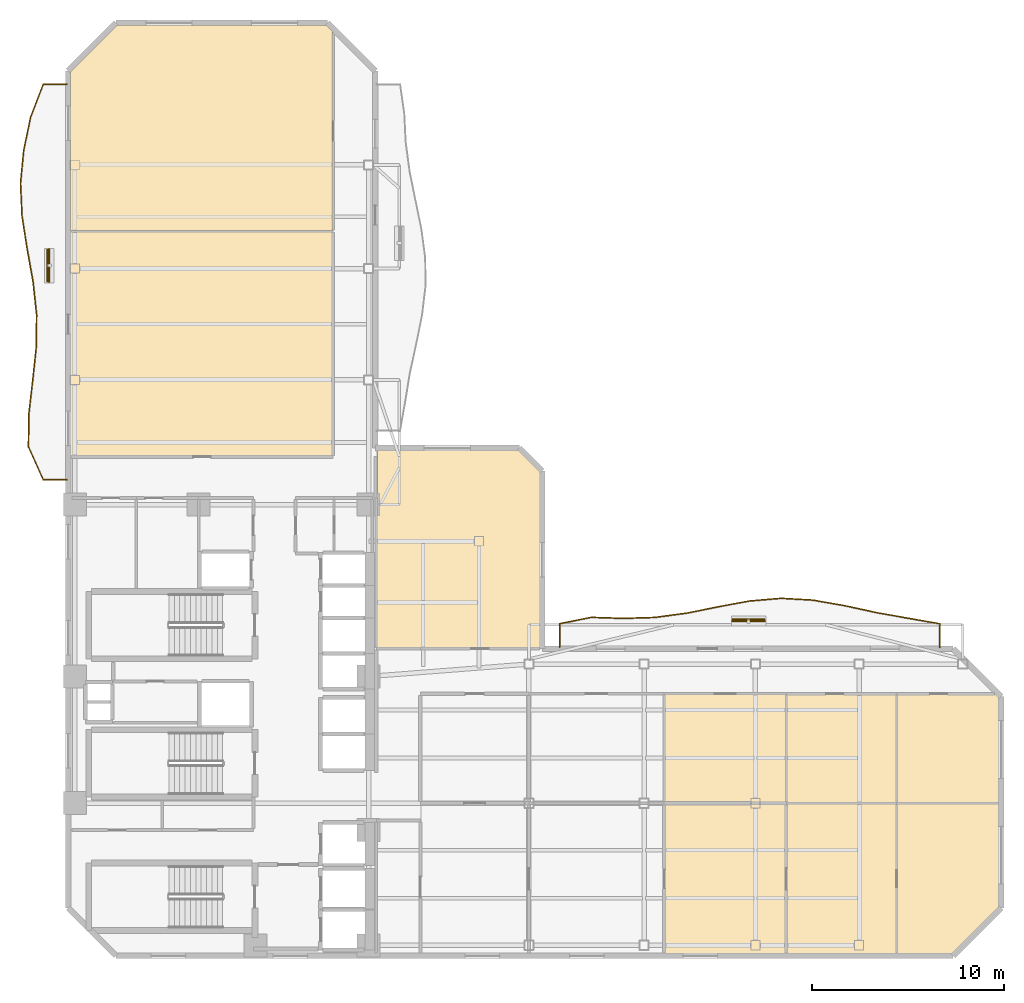
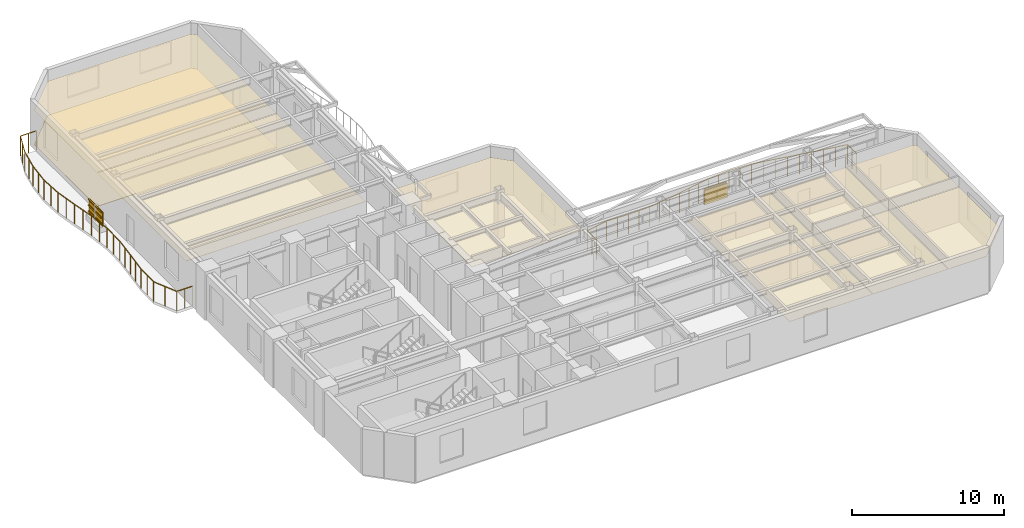
# One storey, part 8 of 9: 10 coverings, 8 shading devices, 2 railings.
"""IFC4 building model written with IfcOpenShell, lengths in metres."""

from ifc_helpers import new_model, si_unit, direction, frame, origin, origin_2d, place, context, subcontext, project, spatial, polyline, rectangle, outline, extrude, material, layer, layer_set, material_profile, profile_set, type_object, element, save


model = new_model("IFC4")

# Units and contexts
model_context = context("Model", 3, precision=1e-05, world=origin(), true_north=direction((0.0, 1.0)))
body_context = subcontext(model_context, "Body", "Model", "MODEL_VIEW")
ifc_project = project(units=[si_unit("LENGTHUNIT", "METRE"), si_unit("AREAUNIT", "SQUARE_METRE"), si_unit("VOLUMEUNIT", "CUBIC_METRE"), si_unit("PLANEANGLEUNIT", "RADIAN"), si_unit("MASSUNIT", "GRAM", prefix="KILO")], contexts=[model_context])

# Site, building, storey
site_placement = place(None, origin())
site = spatial("IfcSite", under=ifc_project, at=site_placement, CompositionType="ELEMENT")
building_placement = place(site_placement, origin())
building = spatial("IfcBuilding", under=site, at=building_placement, Name="Mawjaban Terraces University", CompositionType="ELEMENT")
storey_placement = place(building_placement, frame((0.0, 0.0, 138.5)))
storey = spatial("IfcBuildingStorey", under=building, at=storey_placement, Name="L33", CompositionType="ELEMENT", Elevation=138.5)

# Coverings
ifc_material_1 = material(Name="Acoustic mineral fibre ceiling tile", Category="masonry")
ifc_layer_1 = layer(ifc_material_1, 0.02001953125)
ifc_layer_set_1 = layer_set([ifc_layer_1], Name="Acoustic mineral fibre ceiling tile")
covering_type_1 = type_object("IfcCoveringType", Name="AcousticMineralCeiling_20", PredefinedType="CEILING", material=ifc_layer_set_1)
covering_1_placement = place(storey_placement, frame((0.0, 0.0, 2.75)))
element("IfcCovering", 1, at=covering_1_placement, inside=storey, type_object=covering_type_1, Name="L33 Design Studio 6 Acoustic Ceiling", PredefinedType="CEILING", context=body_context, shape_type="SweptSolid", body=[
    extrude(outline(polyline([(53.0849609375, 0.114990234375), (59.376953125, 0.114990234375), (59.376953125, 7.919921875), (53.0849609375, 7.919921875), (53.0849609375, 0.114990234375)])), origin(), (0.0, 0.0, 1.0), 0.02001953125),
])
covering_2_placement = place(storey_placement, frame((0.0, 0.0, 2.75)))
element("IfcCovering", 2, at=covering_2_placement, inside=storey, type_object=covering_type_1, Name="L33 Computational Laboratory 7 Acoustic Ceiling", PredefinedType="CEILING", context=body_context, shape_type="SweptSolid", body=[
    extrude(outline(polyline([(59.376953125, 7.97998046875), (59.376953125, 13.6201171875), (53.0849609375, 13.6201171875), (53.0849609375, 7.97998046875), (59.376953125, 7.97998046875)])), origin(), (0.0, 0.0, 1.0), 0.02001953125),
])
covering_3_placement = place(storey_placement, frame((0.0, 0.0, 2.75)))
element("IfcCovering", 3, at=covering_3_placement, inside=storey, type_object=covering_type_1, Name="L33 Teaching Laboratory 8 Acoustic Ceiling", PredefinedType="CEILING", context=body_context, shape_type="SweptSolid", body=[
    extrude(outline(polyline([(59.43701171875, 0.114990234375), (65.125, 0.114990234375), (65.125, 7.919921875), (59.43701171875, 7.919921875), (59.43701171875, 0.114990234375)])), origin(), (0.0, 0.0, 1.0), 0.02001953125),
])
covering_4_placement = place(storey_placement, frame((0.0, 0.0, 2.75)))
element("IfcCovering", 4, at=covering_4_placement, inside=storey, type_object=covering_type_1, Name="L33 Student Tea Pantry 9 Acoustic Ceiling", PredefinedType="CEILING", context=body_context, shape_type="SweptSolid", body=[
    extrude(outline(polyline([(65.125, 7.97998046875), (65.125, 13.6201171875), (59.43701171875, 13.6201171875), (59.43701171875, 7.97998046875), (65.125, 7.97998046875)])), origin(), (0.0, 0.0, 1.0), 0.02001953125),
])
covering_5_placement = place(storey_placement, frame((0.0, 0.0, 2.75)))
element("IfcCovering", 5, at=covering_5_placement, inside=storey, type_object=covering_type_1, Name="L33 Student Tea Pantry 10 Acoustic Ceiling", PredefinedType="CEILING", context=body_context, shape_type="SweptSolid", body=[
    extrude(outline(polyline([(65.18505859375, 0.114990234375), (68.052978515625, 0.114990234375), (70.485107421875, 2.547119140625), (70.485107421875, 7.919921875), (65.18505859375, 7.919921875), (65.18505859375, 0.114990234375)])), origin(), (0.0, 0.0, 1.0), 0.02001953125),
])
covering_6_placement = place(storey_placement, frame((0.0, 0.0, 2.75)))
element("IfcCovering", 6, at=covering_6_placement, inside=storey, type_object=covering_type_1, Name="L33 Faculty Office 11 Acoustic Ceiling", PredefinedType="CEILING", context=body_context, shape_type="SweptSolid", body=[
    extrude(outline(polyline([(70.485107421875, 7.97998046875), (70.485107421875, 13.452880859375), (70.318115234375, 13.6201171875), (65.18505859375, 13.6201171875), (65.18505859375, 7.97998046875), (70.485107421875, 7.97998046875)])), origin(), (0.0, 0.0, 1.0), 0.02001953125),
])
covering_7_placement = place(storey_placement, frame((0.0, 0.0, 2.75)))
element("IfcCovering", 7, at=covering_7_placement, inside=storey, type_object=covering_type_1, Name="L33 Departmental Office 12 Acoustic Ceiling", PredefinedType="CEILING", context=body_context, shape_type="SweptSolid", body=[
    extrude(outline(polyline([(22.114990234375, 37.721923828125), (22.114990234375, 26.030029296875), (35.77001953125, 26.030029296875), (35.77001953125, 37.721923828125), (22.114990234375, 37.721923828125)])), origin(), (0.0, 0.0, 1.0), 0.02001953125),
])
covering_8_placement = place(storey_placement, frame((0.0, 0.0, 2.75)))
element("IfcCovering", 8, at=covering_8_placement, inside=storey, type_object=covering_type_1, Name="L33 Classroom 13 Acoustic Ceiling", PredefinedType="CEILING", context=body_context, shape_type="SweptSolid", body=[
    extrude(outline(polyline([(35.77001953125, 48.16796875), (35.452880859375, 48.485107421875), (24.547119140625, 48.485107421875), (22.114990234375, 46.052978515625), (22.114990234375, 37.781982421875), (35.77001953125, 37.781982421875), (35.77001953125, 48.16796875)])), origin(), (0.0, 0.0, 1.0), 0.02001953125),
])
covering_9_placement = place(storey_placement, frame((0.0, 0.0, 2.75)))
element("IfcCovering", 9, at=covering_9_placement, inside=storey, type_object=covering_type_1, Name="L33 Terrace Collaborative Study Room Acoustic Ceiling", PredefinedType="CEILING", context=body_context, shape_type="SweptSolid", body=[
    extrude(outline(polyline([(46.583984375, 16.030029296875), (46.583984375, 25.202880859375), (45.451904296875, 26.3349609375), (38.080078125, 26.3349609375), (38.080078125, 16.030029296875), (46.583984375, 16.030029296875)])), origin(), (0.0, 0.0, 1.0), 0.02001953125),
])

# Railings
ifc_material_2 = material(Name="Galvanised powder-coated steel S355", Category="steel")
railing_type = type_object("IfcRailingType", Name="BalconyBalustrade_1600", PredefinedType="BALUSTRADE", material=ifc_material_2)
railing_1_placement = place(storey_placement, frame((21.919921875, 24.800048828125, 0.0)))
element("IfcRailing", 10, at=railing_1_placement, inside=storey, type_object=railing_type, Name="L33 Balcony Guardrail west", PredefinedType="BALUSTRADE", context=body_context, shape_type="SweptSolid", body=[
    extrude(rectangle(XDim=0.048095703125, YDim=0.048095703125, at=origin_2d()), frame((0.0, 0.0, 1.576171875), z_axis=(-1.0, 0.0, 0.0), x_axis=(0.0, -1.0, 0.0)), (0.0, 0.0, 1.0), 1.219970703125),
    extrude(rectangle(XDim=0.048095703125, YDim=0.048095703125, at=origin_2d()), frame((-1.219970703125, 0.0, 1.576171875), z_axis=(-0.410057297483, 0.912059763821, 0.0), x_axis=(-0.912059763821, -0.410057297483, 0.0)), (0.0, 0.0, 1.0), 1.882568359375),
    extrude(rectangle(XDim=0.048095703125, YDim=0.048095703125, at=origin_2d()), frame((-1.991943359375, 1.717041015625, 1.576171875), z_axis=(0.012804869278, 0.999918014301, 0.0), x_axis=(-0.999918014301, 0.012804869278, 0.0)), (0.0, 0.0, 1.0), 1.716064453125),
    extrude(rectangle(XDim=0.048095703125, YDim=0.048095703125, at=origin_2d()), frame((-1.969970703125, 3.432861328125, 1.576171875), z_axis=(0.114554410221, 0.993416975443, 0.0), x_axis=(-0.993416975443, 0.114554410221, 0.0)), (0.0, 0.0, 1.0), 1.728515625),
    extrude(rectangle(XDim=0.048095703125, YDim=0.048095703125, at=origin_2d()), frame((-1.77197265625, 5.14990234375, 1.576171875), z_axis=(0.106598017622, 0.994302198851, 0.0), x_axis=(-0.994302198851, 0.106598017622, 0.0)), (0.0, 0.0, 1.0), 1.726806640625),
    extrude(rectangle(XDim=0.048095703125, YDim=0.048095703125, at=origin_2d()), frame((-1.587890625, 6.866943359375, 1.576171875), z_axis=(0.012803047857, 0.999918037624, 0.0), x_axis=(-0.999918037624, 0.012803047857, 0.0)), (0.0, 0.0, 1.0), 1.71630859375),
    extrude(rectangle(XDim=0.048095703125, YDim=0.048095703125, at=origin_2d()), frame((-1.56591796875, 8.5830078125, 1.576171875), z_axis=(-0.106598017622, 0.994302198851, 0.0), x_axis=(-0.994302198851, -0.106598017622, 0.0)), (0.0, 0.0, 1.0), 1.726806640625),
    extrude(rectangle(XDim=0.048095703125, YDim=0.048095703125, at=origin_2d()), frame((-1.75, 10.300048828125, 1.576171875), z_axis=(-0.175965058491, 0.984396413134, 0.0), x_axis=(-0.984396413134, -0.175965058491, 0.0)), (0.0, 0.0, 1.0), 1.743896484375),
    extrude(rectangle(XDim=0.048095703125, YDim=0.048095703125, at=origin_2d()), frame((-2.056884765625, 12.016845703125, 1.576171875), z_axis=(-0.154338288951, 0.988018062873, 0.0), x_axis=(-0.988018062873, -0.154338288951, 0.0)), (0.0, 0.0, 1.0), 1.73681640625),
    extrude(rectangle(XDim=0.048095703125, YDim=0.048095703125, at=origin_2d()), frame((-2.324951171875, 13.73291015625, 1.576171875), z_axis=(-0.046586645091, 0.998914252826, 0.0), x_axis=(-0.998914252826, -0.046586645091, 0.0)), (0.0, 0.0, 1.0), 1.718994140625),
    extrude(rectangle(XDim=0.048095703125, YDim=0.048095703125, at=origin_2d()), frame((-2.405029296875, 15.449951171875, 1.576171875), z_axis=(0.096799075364, 0.995303943029, 0.0), x_axis=(-0.995303943029, 0.096799075364, 0.0)), (0.0, 0.0, 1.0), 1.72509765625),
    extrude(rectangle(XDim=0.048095703125, YDim=0.048095703125, at=origin_2d()), frame((-2.238037109375, 17.1669921875, 1.576171875), z_axis=(0.204304609806, 0.97890736355, 0.0), x_axis=(-0.97890736355, 0.204304609806, 0.0)), (0.0, 0.0, 1.0), 1.7529296875),
    extrude(rectangle(XDim=0.048095703125, YDim=0.048095703125, at=origin_2d()), frame((-1.8798828125, 18.883056640625, 1.576171875), z_axis=(0.358792280253, 0.933417430537, 0.0), x_axis=(-0.933417430537, 0.358792280253, 0.0)), (0.0, 0.0, 1.0), 1.83935546875),
    extrude(rectangle(XDim=0.048095703125, YDim=0.048095703125, at=origin_2d()), frame((-1.219970703125, 20.599853515625, 1.576171875), z_axis=(1.0, 0.0, 0.0), x_axis=(0.0, 1.0, 0.0)), (0.0, 0.0, 1.0), 1.219970703125),
    extrude(rectangle(XDim=0.0419921875, YDim=0.0419921875, at=origin_2d()), origin(), (0.0, 0.0, 1.0), 1.552001953125),
    extrude(rectangle(XDim=0.0419921875, YDim=0.0419921875, at=origin_2d()), frame((-0.60986328125, 0.0, 0.0)), (0.0, 0.0, 1.0), 1.552001953125),
    extrude(rectangle(XDim=0.0419921875, YDim=0.0419921875, at=origin_2d()), frame((-1.219970703125, 0.0, 0.0)), (0.0, 0.0, 1.0), 1.552001953125),
    extrude(rectangle(XDim=0.0419921875, YDim=0.0419921875, at=origin_2d()), frame((-1.60595703125, 0.8583984375, 0.0)), (0.0, 0.0, 1.0), 1.552001953125),
    extrude(rectangle(XDim=0.0419921875, YDim=0.0419921875, at=origin_2d()), frame((-1.991943359375, 1.717041015625, 0.0)), (0.0, 0.0, 1.0), 1.552001953125),
    extrude(rectangle(XDim=0.0419921875, YDim=0.0419921875, at=origin_2d()), frame((-1.98095703125, 2.574951171875, 0.0)), (0.0, 0.0, 1.0), 1.552001953125),
    extrude(rectangle(XDim=0.0419921875, YDim=0.0419921875, at=origin_2d()), frame((-1.969970703125, 3.432861328125, 0.0)), (0.0, 0.0, 1.0), 1.552001953125),
    extrude(rectangle(XDim=0.0419921875, YDim=0.0419921875, at=origin_2d()), frame((-1.87109375, 4.29150390625, 0.0)), (0.0, 0.0, 1.0), 1.552001953125),
    extrude(rectangle(XDim=0.0419921875, YDim=0.0419921875, at=origin_2d()), frame((-1.77197265625, 5.14990234375, 0.0)), (0.0, 0.0, 1.0), 1.552001953125),
    extrude(rectangle(XDim=0.0419921875, YDim=0.0419921875, at=origin_2d()), frame((-1.679931640625, 6.00830078125, 0.0)), (0.0, 0.0, 1.0), 1.552001953125),
    extrude(rectangle(XDim=0.0419921875, YDim=0.0419921875, at=origin_2d()), frame((-1.587890625, 6.866943359375, 0.0)), (0.0, 0.0, 1.0), 1.552001953125),
    extrude(rectangle(XDim=0.0419921875, YDim=0.0419921875, at=origin_2d()), frame((-1.576904296875, 7.72509765625, 0.0)), (0.0, 0.0, 1.0), 1.552001953125),
    extrude(rectangle(XDim=0.0419921875, YDim=0.0419921875, at=origin_2d()), frame((-1.56591796875, 8.5830078125, 0.0)), (0.0, 0.0, 1.0), 1.552001953125),
    extrude(rectangle(XDim=0.0419921875, YDim=0.0419921875, at=origin_2d()), frame((-1.657958984375, 9.44140625, 0.0)), (0.0, 0.0, 1.0), 1.552001953125),
    extrude(rectangle(XDim=0.0419921875, YDim=0.0419921875, at=origin_2d()), frame((-1.75, 10.300048828125, 0.0)), (0.0, 0.0, 1.0), 1.552001953125),
    extrude(rectangle(XDim=0.0419921875, YDim=0.0419921875, at=origin_2d()), frame((-1.9033203125, 11.158447265625, 0.0)), (0.0, 0.0, 1.0), 1.552001953125),
    extrude(rectangle(XDim=0.0419921875, YDim=0.0419921875, at=origin_2d()), frame((-2.056884765625, 12.016845703125, 0.0)), (0.0, 0.0, 1.0), 1.552001953125),
    extrude(rectangle(XDim=0.0419921875, YDim=0.0419921875, at=origin_2d()), frame((-2.19091796875, 12.875, 0.0)), (0.0, 0.0, 1.0), 1.552001953125),
    extrude(rectangle(XDim=0.0419921875, YDim=0.0419921875, at=origin_2d()), frame((-2.324951171875, 13.73291015625, 0.0)), (0.0, 0.0, 1.0), 1.552001953125),
    extrude(rectangle(XDim=0.0419921875, YDim=0.0419921875, at=origin_2d()), frame((-2.364990234375, 14.59130859375, 0.0)), (0.0, 0.0, 1.0), 1.552001953125),
    extrude(rectangle(XDim=0.0419921875, YDim=0.0419921875, at=origin_2d()), frame((-2.405029296875, 15.449951171875, 0.0)), (0.0, 0.0, 1.0), 1.552001953125),
    extrude(rectangle(XDim=0.0419921875, YDim=0.0419921875, at=origin_2d()), frame((-2.321533203125, 16.30859375, 0.0)), (0.0, 0.0, 1.0), 1.552001953125),
    extrude(rectangle(XDim=0.0419921875, YDim=0.0419921875, at=origin_2d()), frame((-2.238037109375, 17.1669921875, 0.0)), (0.0, 0.0, 1.0), 1.552001953125),
    extrude(rectangle(XDim=0.0419921875, YDim=0.0419921875, at=origin_2d()), frame((-2.05908203125, 18.02490234375, 0.0)), (0.0, 0.0, 1.0), 1.552001953125),
    extrude(rectangle(XDim=0.0419921875, YDim=0.0419921875, at=origin_2d()), frame((-1.8798828125, 18.883056640625, 0.0)), (0.0, 0.0, 1.0), 1.552001953125),
    extrude(rectangle(XDim=0.0419921875, YDim=0.0419921875, at=origin_2d()), frame((-1.5498046875, 19.741455078125, 0.0)), (0.0, 0.0, 1.0), 1.552001953125),
    extrude(rectangle(XDim=0.0419921875, YDim=0.0419921875, at=origin_2d()), frame((-1.219970703125, 20.599853515625, 0.0)), (0.0, 0.0, 1.0), 1.552001953125),
    extrude(rectangle(XDim=0.0419921875, YDim=0.0419921875, at=origin_2d()), frame((-0.60986328125, 20.599853515625, 0.0)), (0.0, 0.0, 1.0), 1.552001953125),
    extrude(rectangle(XDim=0.0419921875, YDim=0.0419921875, at=origin_2d()), frame((0.0, 20.599853515625, 0.0)), (0.0, 0.0, 1.0), 1.552001953125),
])
railing_2_placement = place(storey_placement, frame((47.59912109375, 16.080078125, 0.0)))
element("IfcRailing", 11, at=railing_2_placement, inside=storey, type_object=railing_type, Name="L33 Balcony Guardrail inner_north", PredefinedType="BALUSTRADE", context=body_context, shape_type="SweptSolid", body=[
    extrude(rectangle(XDim=0.048095703125, YDim=0.048095703125, at=origin_2d()), frame((0.0, 0.0, 1.576171875), z_axis=(0.0, 1.0, 0.0), x_axis=(-1.0, 0.0, 0.0)), (0.0, 0.0, 1.0), 1.219970703125),
    extrude(rectangle(XDim=0.048095703125, YDim=0.048095703125, at=origin_2d()), frame((0.0, 1.219970703125, 1.576171875), z_axis=(0.980007647094, 0.198959824181, 0.0), x_axis=(-0.198959824181, 0.980007647094, 0.0)), (0.0, 0.0, 1.0), 1.68359375),
    extrude(rectangle(XDim=0.048095703125, YDim=0.048095703125, at=origin_2d()), frame((1.64990234375, 1.554931640625, 1.576171875), z_axis=(0.999446219329, -0.033275436423, 0.0), x_axis=(0.033275436423, 0.999446219329, 0.0)), (0.0, 0.0, 1.0), 1.65087890625),
    extrude(rectangle(XDim=0.048095703125, YDim=0.048095703125, at=origin_2d()), frame((3.2998046875, 1.5, 1.576171875), z_axis=(0.999544835006, 0.030168241802, 0.0), x_axis=(-0.030168241802, 0.999544835006, 0.0)), (0.0, 0.0, 1.0), 1.65087890625),
    extrude(rectangle(XDim=0.048095703125, YDim=0.048095703125, at=origin_2d()), frame((4.949951171875, 1.5498046875, 1.576171875), z_axis=(0.991132860699, 0.132874574104, 0.0), x_axis=(-0.132874574104, 0.991132860699, 0.0)), (0.0, 0.0, 1.0), 1.66455078125),
    extrude(rectangle(XDim=0.048095703125, YDim=0.048095703125, at=origin_2d()), frame((6.599853515625, 1.77099609375, 1.576171875), z_axis=(0.980351285841, 0.197259616621, 0.0), x_axis=(-0.197259616621, 0.980351285841, 0.0)), (0.0, 0.0, 1.0), 1.68310546875),
    extrude(rectangle(XDim=0.048095703125, YDim=0.048095703125, at=origin_2d()), frame((8.25, 2.10302734375, 1.576171875), z_axis=(0.983450459295, 0.181177245017, 0.0), x_axis=(-0.181177245017, 0.983450459295, 0.0)), (0.0, 0.0, 1.0), 1.677734375),
    extrude(rectangle(XDim=0.048095703125, YDim=0.048095703125, at=origin_2d()), frame((9.89990234375, 2.406982421875, 1.576171875), z_axis=(0.996478356949, 0.08385036751, 0.0), x_axis=(-0.08385036751, 0.996478356949, 0.0)), (0.0, 0.0, 1.0), 1.65673828125),
    extrude(rectangle(XDim=0.048095703125, YDim=0.048095703125, at=origin_2d()), frame((11.55078125, 2.5458984375, 1.576171875), z_axis=(0.998347935299, -0.057457811338, 0.0), x_axis=(0.057457811338, 0.998347935299, 0.0)), (0.0, 0.0, 1.0), 1.65283203125),
    extrude(rectangle(XDim=0.048095703125, YDim=0.048095703125, at=origin_2d()), frame((13.200927734375, 2.450927734375, 1.576171875), z_axis=(0.985095986752, -0.172005514112, 0.0), x_axis=(0.172005514112, 0.985095986752, 0.0)), (0.0, 0.0, 1.0), 1.6748046875),
    extrude(rectangle(XDim=0.048095703125, YDim=0.048095703125, at=origin_2d()), frame((14.850830078125, 2.162841796875, 1.576171875), z_axis=(0.977156787861, -0.212519674235, 0.0), x_axis=(0.212519674235, 0.977156787861, 0.0)), (0.0, 0.0, 1.0), 1.688720703125),
    extrude(rectangle(XDim=0.048095703125, YDim=0.048095703125, at=origin_2d()), frame((16.5009765625, 1.803955078125, 1.576171875), z_axis=(0.984497725325, -0.17539734556, 0.0), x_axis=(0.17539734556, 0.984497725325, 0.0)), (0.0, 0.0, 1.0), 1.67578125),
    extrude(rectangle(XDim=0.048095703125, YDim=0.048095703125, at=origin_2d()), frame((18.15087890625, 1.510009765625, 1.576171875), z_axis=(0.98489778391, -0.173136810785, 0.0), x_axis=(0.173136810785, 0.98489778391, 0.0)), (0.0, 0.0, 1.0), 1.67529296875),
    extrude(rectangle(XDim=0.048095703125, YDim=0.048095703125, at=origin_2d()), frame((19.80078125, 1.219970703125, 1.576171875), z_axis=(0.0, -1.0, 0.0), x_axis=(1.0, 0.0, 0.0)), (0.0, 0.0, 1.0), 1.219970703125),
    extrude(rectangle(XDim=0.0419921875, YDim=0.0419921875, at=origin_2d()), origin(), (0.0, 0.0, 1.0), 1.552001953125),
    extrude(rectangle(XDim=0.0419921875, YDim=0.0419921875, at=origin_2d()), frame((0.0, 0.60986328125, 0.0)), (0.0, 0.0, 1.0), 1.552001953125),
    extrude(rectangle(XDim=0.0419921875, YDim=0.0419921875, at=origin_2d()), frame((0.0, 1.219970703125, 0.0)), (0.0, 0.0, 1.0), 1.552001953125),
    extrude(rectangle(XDim=0.0419921875, YDim=0.0419921875, at=origin_2d()), frame((0.824951171875, 1.387451171875, 0.0)), (0.0, 0.0, 1.0), 1.552001953125),
    extrude(rectangle(XDim=0.0419921875, YDim=0.0419921875, at=origin_2d()), frame((1.64990234375, 1.554931640625, 0.0)), (0.0, 0.0, 1.0), 1.552001953125),
    extrude(rectangle(XDim=0.0419921875, YDim=0.0419921875, at=origin_2d()), frame((2.474853515625, 1.52734375, 0.0)), (0.0, 0.0, 1.0), 1.552001953125),
    extrude(rectangle(XDim=0.0419921875, YDim=0.0419921875, at=origin_2d()), frame((3.2998046875, 1.5, 0.0)), (0.0, 0.0, 1.0), 1.552001953125),
    extrude(rectangle(XDim=0.0419921875, YDim=0.0419921875, at=origin_2d()), frame((4.125, 1.52490234375, 0.0)), (0.0, 0.0, 1.0), 1.552001953125),
    extrude(rectangle(XDim=0.0419921875, YDim=0.0419921875, at=origin_2d()), frame((4.949951171875, 1.5498046875, 0.0)), (0.0, 0.0, 1.0), 1.552001953125),
    extrude(rectangle(XDim=0.0419921875, YDim=0.0419921875, at=origin_2d()), frame((5.77490234375, 1.660400390625, 0.0)), (0.0, 0.0, 1.0), 1.552001953125),
    extrude(rectangle(XDim=0.0419921875, YDim=0.0419921875, at=origin_2d()), frame((6.599853515625, 1.77099609375, 0.0)), (0.0, 0.0, 1.0), 1.552001953125),
    extrude(rectangle(XDim=0.0419921875, YDim=0.0419921875, at=origin_2d()), frame((7.4248046875, 1.93701171875, 0.0)), (0.0, 0.0, 1.0), 1.552001953125),
    extrude(rectangle(XDim=0.0419921875, YDim=0.0419921875, at=origin_2d()), frame((8.25, 2.10302734375, 0.0)), (0.0, 0.0, 1.0), 1.552001953125),
    extrude(rectangle(XDim=0.0419921875, YDim=0.0419921875, at=origin_2d()), frame((9.074951171875, 2.2548828125, 0.0)), (0.0, 0.0, 1.0), 1.552001953125),
    extrude(rectangle(XDim=0.0419921875, YDim=0.0419921875, at=origin_2d()), frame((9.89990234375, 2.406982421875, 0.0)), (0.0, 0.0, 1.0), 1.552001953125),
    extrude(rectangle(XDim=0.0419921875, YDim=0.0419921875, at=origin_2d()), frame((10.725341796875, 2.4765625, 0.0)), (0.0, 0.0, 1.0), 1.552001953125),
    extrude(rectangle(XDim=0.0419921875, YDim=0.0419921875, at=origin_2d()), frame((11.55078125, 2.5458984375, 0.0)), (0.0, 0.0, 1.0), 1.552001953125),
    extrude(rectangle(XDim=0.0419921875, YDim=0.0419921875, at=origin_2d()), frame((12.3759765625, 2.49853515625, 0.0)), (0.0, 0.0, 1.0), 1.552001953125),
    extrude(rectangle(XDim=0.0419921875, YDim=0.0419921875, at=origin_2d()), frame((13.200927734375, 2.450927734375, 0.0)), (0.0, 0.0, 1.0), 1.552001953125),
    extrude(rectangle(XDim=0.0419921875, YDim=0.0419921875, at=origin_2d()), frame((14.02587890625, 2.306884765625, 0.0)), (0.0, 0.0, 1.0), 1.552001953125),
    extrude(rectangle(XDim=0.0419921875, YDim=0.0419921875, at=origin_2d()), frame((14.850830078125, 2.162841796875, 0.0)), (0.0, 0.0, 1.0), 1.552001953125),
    extrude(rectangle(XDim=0.0419921875, YDim=0.0419921875, at=origin_2d()), frame((15.67578125, 1.9833984375, 0.0)), (0.0, 0.0, 1.0), 1.552001953125),
    extrude(rectangle(XDim=0.0419921875, YDim=0.0419921875, at=origin_2d()), frame((16.5009765625, 1.803955078125, 0.0)), (0.0, 0.0, 1.0), 1.552001953125),
    extrude(rectangle(XDim=0.0419921875, YDim=0.0419921875, at=origin_2d()), frame((17.325927734375, 1.656982421875, 0.0)), (0.0, 0.0, 1.0), 1.552001953125),
    extrude(rectangle(XDim=0.0419921875, YDim=0.0419921875, at=origin_2d()), frame((18.15087890625, 1.510009765625, 0.0)), (0.0, 0.0, 1.0), 1.552001953125),
    extrude(rectangle(XDim=0.0419921875, YDim=0.0419921875, at=origin_2d()), frame((18.975830078125, 1.364990234375, 0.0)), (0.0, 0.0, 1.0), 1.552001953125),
    extrude(rectangle(XDim=0.0419921875, YDim=0.0419921875, at=origin_2d()), frame((19.80078125, 1.219970703125, 0.0)), (0.0, 0.0, 1.0), 1.552001953125),
    extrude(rectangle(XDim=0.0419921875, YDim=0.0419921875, at=origin_2d()), frame((19.80078125, 0.60986328125, 0.0)), (0.0, 0.0, 1.0), 1.552001953125),
    extrude(rectangle(XDim=0.0419921875, YDim=0.0419921875, at=origin_2d()), frame((19.80078125, 0.0, 0.0)), (0.0, 0.0, 1.0), 1.552001953125),
])

# Shading devices
ifc_material_3 = material(Name="Glazed architectural terracotta ceramic", Category="masonry")
ifc_material_profile = material_profile(ifc_material_3, rectangle(XDim=0.06494140625, YDim=0.110107421875, at=origin_2d()), Name="TBAG110X65")
ifc_profile_set = profile_set([ifc_material_profile], Name="Glazed architectural terracotta ceramic")
shading_device_type_1 = type_object("IfcShadingDeviceType", Name="TerracottaBaguette_110x65", PredefinedType="USERDEFINED", material=ifc_profile_set)
for number, where, z_axis, x_axis, name in (
    (12, (20.927978515625, 35.10888671875, 0.679931640625), (0.0, 1.0, 0.0), (-1.0, 0.0, 0.0), "L33 Horizontal Terracotta Baguette west.1"),
    (13, (20.927978515625, 35.10888671875, 1.14990234375), (0.0, 1.0, 0.0), (-1.0, 0.0, 0.0), "L33 Horizontal Terracotta Baguette west.2"),
    (14, (20.927978515625, 35.10888671875, 1.6201171875), (0.0, 1.0, 0.0), (-1.0, 0.0, 0.0), "L33 Horizontal Terracotta Baguette west.3"),
):
    element("IfcShadingDevice", number, at=place(storey_placement, frame(where, z_axis=z_axis, x_axis=x_axis)), inside=storey, type_object=shading_device_type_1, Name=name, ObjectType="BAGUETTE", PredefinedType="USERDEFINED", context=body_context, shape_type="SweptSolid", body=[
        extrude(rectangle(XDim=0.06494140625, YDim=0.110107421875, at=origin_2d()), origin(), (0.0, 0.0, 1.0), 1.7001953125),
    ])
for number, where, z_axis, x_axis, name in (
    (15, (56.595947265625, 17.52490234375, 0.679931640625), (1.0, 0.0, 0.0), (0.0, 1.0, 0.0), "L33 Horizontal Terracotta Baguette inner_north.1"),
    (16, (56.595947265625, 17.52490234375, 1.14990234375), (1.0, 0.0, 0.0), (0.0, 1.0, 0.0), "L33 Horizontal Terracotta Baguette inner_north.2"),
    (17, (56.595947265625, 17.52490234375, 1.6201171875), (1.0, 0.0, 0.0), (0.0, 1.0, 0.0), "L33 Horizontal Terracotta Baguette inner_north.3"),
):
    element("IfcShadingDevice", number, at=place(storey_placement, frame(where, z_axis=z_axis, x_axis=x_axis)), inside=storey, type_object=shading_device_type_1, Name=name, ObjectType="BAGUETTE", PredefinedType="USERDEFINED", context=body_context, shape_type="SweptSolid", body=[
        extrude(rectangle(XDim=0.06494140625, YDim=0.110107421875, at=origin_2d()), origin(), (0.0, 0.0, 1.0), 1.699951171875),
    ])
ifc_layer_2 = layer(ifc_material_3, 0.080078125)
ifc_layer_set_2 = layer_set([ifc_layer_2], Name="Glazed architectural terracotta ceramic")
shading_device_type_2 = type_object("IfcShadingDeviceType", Name="TerracottaScreen_Perforated", PredefinedType="USERDEFINED", material=ifc_layer_set_2)
for number, where, z_axis, x_axis, name in (
    (18, (21.012939453125, 35.958984375, 0.43994140625), (0.0, 0.0, 1.0), (0.0, 1.0, 0.0), "L33 Balcony Perforated Terracotta Screen west"),
    (19, (57.446044921875, 17.43994140625, 0.43994140625), (0.0, 0.0, 1.0), (1.0, 0.0, 0.0), "L33 Balcony Perforated Terracotta Screen inner_north"),
):
    element("IfcShadingDevice", number, at=place(storey_placement, frame(where, z_axis=z_axis, x_axis=x_axis)), inside=storey, type_object=shading_device_type_2, Name=name, ObjectType="SCREEN", PredefinedType="USERDEFINED", context=body_context, shape_type="SweptSolid", body=[
        extrude(rectangle(XDim=1.75, YDim=0.080078125, at=origin_2d()), origin(), (0.0, 0.0, 1.0), 1.14990234375),
    ])

# Covering
ifc_material_4 = material(Name="Polished Hijazi granite terrazzo flooring", Category="masonry")
ifc_layer_3 = layer(ifc_material_4, 0.02490234375)
ifc_layer_set_3 = layer_set([ifc_layer_3], Name="Polished Hijazi granite terrazzo flooring")
covering_type_2 = type_object("IfcCoveringType", Name="TerrazzoConcourseFlooring_25", PredefinedType="FLOORING", material=ifc_layer_set_3)
covering_10_placement = place(storey_placement, origin())
element("IfcCovering", 20, at=covering_10_placement, inside=storey, type_object=covering_type_2, Name="L33 Classroom 13 Terrazzo Flooring", PredefinedType="FLOORING", context=body_context, shape_type="SweptSolid", body=[
    extrude(outline(polyline([(35.77001953125, 48.16796875), (35.452880859375, 48.485107421875), (24.547119140625, 48.485107421875), (22.114990234375, 46.052978515625), (22.114990234375, 37.781982421875), (35.77001953125, 37.781982421875), (35.77001953125, 48.16796875)])), origin(), (0.0, 0.0, 1.0), 0.02490234375),
])

save(model, "model.ifc")
